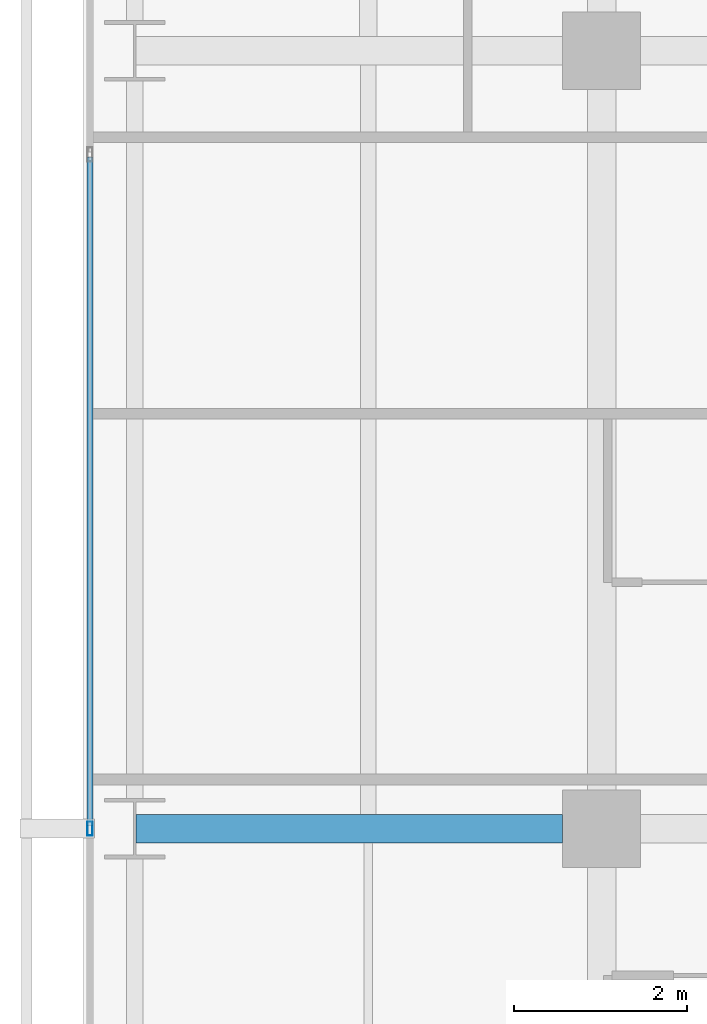
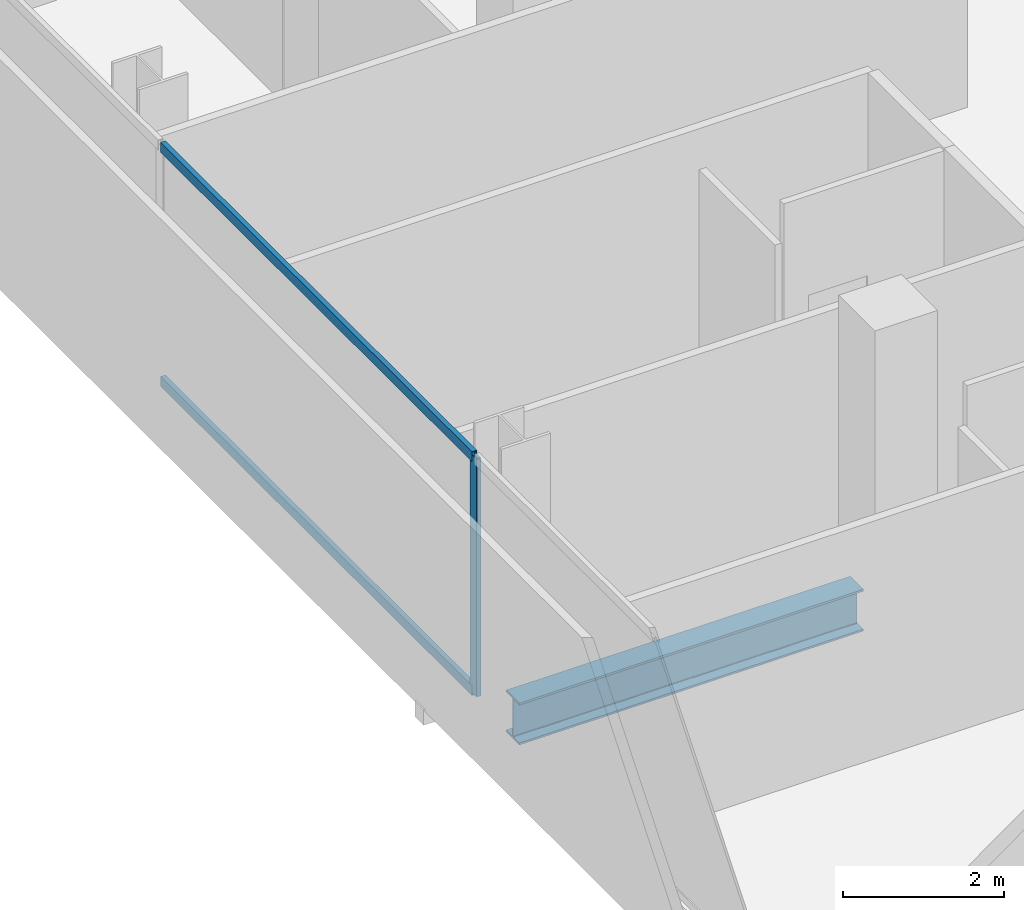
# One storey, part 12 of 40: 3 members, 1 beam, 1 element without a shape of its own.
"""IFC4 building model written with IfcOpenShell, lengths in metres."""

from ifc_helpers import new_model, si_unit, direction, frame, origin, origin_2d, place, context, subcontext, project, spatial, hollow_rectangle, i_section, extrude, material, layer, layer_set, material_profile, profile_set, type_object, element, aggregate, save


model = new_model("IFC4")

# Units and contexts
model_context = context("Model", 3, precision=1e-05, world=origin(), true_north=direction((0.0, 1.0)))
body_context = subcontext(model_context, "Body", "Model", "MODEL_VIEW")
ifc_project = project(units=[si_unit("LENGTHUNIT", "METRE"), si_unit("AREAUNIT", "SQUARE_METRE"), si_unit("VOLUMEUNIT", "CUBIC_METRE"), si_unit("PLANEANGLEUNIT", "RADIAN"), si_unit("MASSUNIT", "GRAM", prefix="KILO")], contexts=[model_context])

# Site, building, storey
site_placement = place(None, origin())
site = spatial("IfcSite", under=ifc_project, at=site_placement, CompositionType="ELEMENT")
building_placement = place(site_placement, origin())
building = spatial("IfcBuilding", under=site, at=building_placement, Name="Maruvema Waterfront Hotel and Observation Tower", CompositionType="ELEMENT")
storey_placement = place(building_placement, frame((0.0, 0.0, 34.64990234375)))
storey = spatial("IfcBuildingStorey", under=building, at=storey_placement, Name="L07", CompositionType="ELEMENT", Elevation=34.64990234375)

# Curtain wall, members
ifc_material_1 = material(Name="Anodised bronze aluminium and solar-control low-E IGU", Category="aluminium")
ifc_layer = layer(ifc_material_1, 0.159912109375, Name="Zone 1 Bronze Inner Thermal Curtain Wall System CW-02")
ifc_layer_set = layer_set([ifc_layer], Name="Anodised bronze aluminium and solar-control low-E IGU")
curtain_wall_type = type_object("IfcCurtainWallType", Name="Zone 1 Bronze Inner Thermal Curtain Wall System CW-02", PredefinedType="USERDEFINED", material=ifc_layer_set)
curtain_wall_placement = place(storey_placement, origin())
curtain_wall = element("IfcCurtainWall", 1, at=curtain_wall_placement, inside=storey, type_object=curtain_wall_type, Name="L07 Curtain Wall CW-L07-W", ObjectType="UNITISED CURTAIN WALL", PredefinedType="USERDEFINED")
ifc_material_2 = material(Name="Anodised architectural bronze aluminium", Category="aluminium")
ifc_material_profile_1 = material_profile(ifc_material_2, hollow_rectangle(XDim=0.070068359375, YDim=0.14990234375, WallThickness=0.00390625, at=origin_2d()), Name="ALU-T70x150")
ifc_profile_set_1 = profile_set([ifc_material_profile_1], Name="Anodised architectural bronze aluminium")
member_type_1 = type_object("IfcMemberType", Name="Curtain Wall Horizontal Transom ALU-T70x150", PredefinedType="USERDEFINED", material=ifc_profile_set_1)
member_1_placement = place(storey_placement, frame((10.8798828125, 34.77001953125, 0.030029296875), z_axis=(0.0, -1.0, 0.0), x_axis=(1.0, 0.0, 0.0)))
member_1 = element("IfcMember", 2, at=member_1_placement, type_object=member_type_1, Name="CW-02 transom 3.1", ObjectType="TRANSOM", PredefinedType="USERDEFINED", context=body_context, shape_type="SweptSolid", body=[
    extrude(hollow_rectangle(XDim=0.070068359375, YDim=0.14990234375, WallThickness=0.00390625, at=origin_2d()), origin(), (0.0, 0.0, 1.0), 7.739990234375),
])
member_2_placement = place(storey_placement, frame((10.8798828125, 34.77001953125, 3.580078125), z_axis=(0.0, -1.0, 0.0), x_axis=(1.0, 0.0, 0.0)))
member_2 = element("IfcMember", 3, at=member_2_placement, type_object=member_type_1, Name="CW-02 transom 3.2", ObjectType="TRANSOM", PredefinedType="USERDEFINED", context=body_context, shape_type="SweptSolid", body=[
    extrude(hollow_rectangle(XDim=0.070068359375, YDim=0.14990234375, WallThickness=0.00390625, at=origin_2d()), origin(), (0.0, 0.0, 1.0), 7.739990234375),
])
ifc_material_3 = material(Name="Anodised architectural bronze aluminium", Category="aluminium")
ifc_material_profile_2 = material_profile(ifc_material_3, hollow_rectangle(XDim=0.06494140625, YDim=0.1650390625, WallThickness=0.00390625, at=origin_2d()), Name="ALU-M65x165")
ifc_profile_set_2 = profile_set([ifc_material_profile_2], Name="Anodised architectural bronze aluminium")
member_type_2 = type_object("IfcMemberType", Name="Curtain Wall Primary Mullion ALU-M65x165", PredefinedType="MULLION", material=ifc_profile_set_2)
member_3_placement = place(storey_placement, frame((10.8798828125, 27.0, 0.0), z_axis=(0.0, 0.0, 1.0), x_axis=(1.0, 0.0, 0.0)))
member_3 = element("IfcMember", 4, at=member_3_placement, type_object=member_type_2, Name="CW-02 mullion 4", PredefinedType="MULLION", context=body_context, shape_type="SweptSolid", body=[
    extrude(hollow_rectangle(XDim=0.06494140625, YDim=0.1650390625, WallThickness=0.00390625, at=origin_2d()), origin(), (0.0, 0.0, 1.0), 3.610107421875),
])
aggregate(curtain_wall, [member_3, member_1, member_2])

# Beam
ifc_material_4 = material(Name="Steel ASTM A572 Grade 50", Category="steel")
ifc_material_profile_3 = material_profile(ifc_material_4, i_section(OverallWidth=0.3291015625, OverallDepth=0.635009765625, WebThickness=0.017822265625, FlangeThickness=0.031005859375, FilletRadius=0.01806640625, at=origin_2d()), Name="W610x241.0")
ifc_profile_set_3 = profile_set([ifc_material_profile_3], Name="Steel ASTM A572 Grade 50")
beam_type = type_object("IfcBeamType", Name="Primary Floor Girder W610x241.0", PredefinedType="BEAM", material=ifc_profile_set_3)
beam_placement = place(storey_placement, frame((11.4140625, 27.0, -0.557373046875), z_axis=(1.0, 0.0, 0.0), x_axis=(0.0, 1.0, 0.0)))
element("IfcBeam", 5, at=beam_placement, inside=storey, type_object=beam_type, Name="L07 Floor Girder EW-20", PredefinedType="BEAM", context=body_context, shape_type="SweptSolid", body=[
    extrude(i_section(OverallWidth=0.3291015625, OverallDepth=0.635009765625, WebThickness=0.017822265625, FlangeThickness=0.031005859375, FilletRadius=0.01806640625, at=origin_2d()), origin(), (0.0, 0.0, 1.0), 4.93603515625),
])

save(model, "model.ifc")
